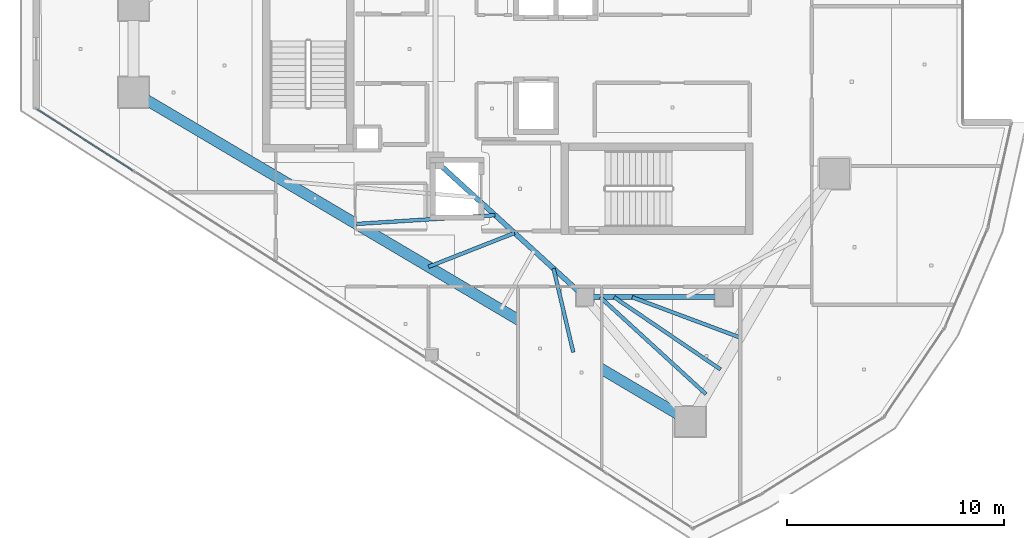
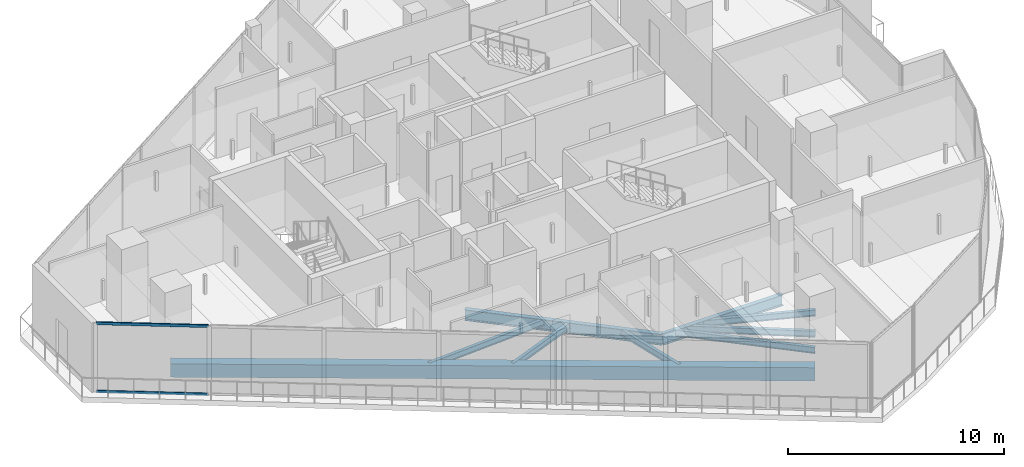
# One storey, part 4 of 25: 9 beams, 2 members, 1 element without a shape of its own.
"""IFC4 building model written with IfcOpenShell, lengths in metres."""

from ifc_helpers import new_model, si_unit, direction, frame, origin, origin_2d, place, context, subcontext, project, spatial, rectangle, hollow_rectangle, i_section, extrude, material, layer, layer_set, material_profile, profile_set, type_object, element, aggregate, save


model = new_model("IFC4")

# Units and contexts
model_context = context("Model", 3, precision=1e-05, world=origin(), true_north=direction((0.0, 1.0)))
body_context = subcontext(model_context, "Body", "Model", "MODEL_VIEW")
ifc_project = project(units=[si_unit("LENGTHUNIT", "METRE"), si_unit("AREAUNIT", "SQUARE_METRE"), si_unit("VOLUMEUNIT", "CUBIC_METRE"), si_unit("PLANEANGLEUNIT", "RADIAN"), si_unit("MASSUNIT", "GRAM", prefix="KILO")], contexts=[model_context])

# Site, building, storey
site_placement = place(None, origin())
site = spatial("IfcSite", under=ifc_project, at=site_placement, CompositionType="ELEMENT")
building_placement = place(site_placement, origin())
building = spatial("IfcBuilding", under=site, at=building_placement, Name="Qorvath Tower", CompositionType="ELEMENT")
storey_placement = place(building_placement, frame((0.0, 0.0, 306.0)))
storey = spatial("IfcBuildingStorey", under=building, at=storey_placement, Name="L71", CompositionType="ELEMENT", Elevation=306.0)

# Beams
ifc_material_1 = material(Name="Steel ASTM A992 Grade 50", Category="steel")
ifc_material_profile_1 = material_profile(ifc_material_1, i_section(OverallWidth=0.22998046875, OverallDepth=0.616943359375, WebThickness=0.01318359375, FlangeThickness=0.022216796875, FilletRadius=0.014892578125, at=origin_2d()), Name="W24x94")
ifc_profile_set_1 = profile_set([ifc_material_profile_1], Name="Steel ASTM A992 Grade 50")
beam_type_1 = type_object("IfcBeamType", Name="BM-FG6", PredefinedType="BEAM", material=ifc_profile_set_1)
beam_1_placement = place(storey_placement, frame((-17.199951171875, -11.449951171875, -0.598388671875), z_axis=(-1.0, 0.0, 0.0), x_axis=(0.0, -1.0, 0.0)))
element("IfcBeam", 1, at=beam_1_placement, inside=storey, type_object=beam_type_1, Name="Core Ring Girder CC3-CC4 L71", PredefinedType="BEAM", context=body_context, shape_type="SweptSolid", body=[
    extrude(i_section(OverallWidth=0.22998046875, OverallDepth=0.616943359375, WebThickness=0.01318359375, FlangeThickness=0.022216796875, FilletRadius=0.014892578125, at=origin_2d()), origin(), (0.0, 0.0, 1.0), 6.400146484375),
])
beam_2_placement = place(storey_placement, frame((-23.60009765625, -11.449951171875, -0.598388671875), z_axis=(-0.73847813985, 0.6742774184, 0.0), x_axis=(-0.6742774184, -0.73847813985, 0.0)))
element("IfcBeam", 2, at=beam_2_placement, inside=storey, type_object=beam_type_1, Name="Core Ring Girder CC4-CC6 L71", PredefinedType="BEAM", context=body_context, shape_type="SweptSolid", body=[
    extrude(i_section(OverallWidth=0.22998046875, OverallDepth=0.616943359375, WebThickness=0.01318359375, FlangeThickness=0.022216796875, FilletRadius=0.014892578125, at=origin_2d()), origin(), (0.0, 0.0, 1.0), 9.343505859375),
])
ifc_material_2 = material(Name="Steel ASTM A992 Grade 50", Category="steel")
ifc_material_profile_2 = material_profile(ifc_material_2, i_section(OverallWidth=0.1708984375, OverallDepth=0.35107421875, WebThickness=0.0068359375, FlangeThickness=0.009765625, FilletRadius=0.010009765625, at=origin_2d()), Name="W14x30")
ifc_profile_set_2 = profile_set([ifc_material_profile_2], Name="Steel ASTM A992 Grade 50")
beam_type_2 = type_object("IfcBeamType", Name="BM-FJ4", PredefinedType="JOIST", material=ifc_profile_set_2)
beam_3_placement = place(storey_placement, frame((-21.424072265625, -11.449951171875, -0.465576171875), z_axis=(0.936775909139, -0.349929844478, 0.0), x_axis=(0.349929844478, 0.936775909139, 0.0)))
element("IfcBeam", 3, at=beam_3_placement, inside=storey, type_object=beam_type_2, Name="Composite Floor Joist SE5 L71", PredefinedType="JOIST", context=body_context, shape_type="SweptSolid", body=[
    extrude(i_section(OverallWidth=0.1708984375, OverallDepth=0.35107421875, WebThickness=0.0068359375, FlangeThickness=0.009765625, FilletRadius=0.010009765625, at=origin_2d()), origin(), (0.0, 0.0, 1.0), 5.268798828125),
])
beam_4_placement = place(storey_placement, frame((-22.256103515625, -11.449951171875, -0.465576171875), z_axis=(0.827400561462, -0.56161224247, 0.0), x_axis=(0.56161224247, 0.827400561462, 0.0)))
element("IfcBeam", 4, at=beam_4_placement, inside=storey, type_object=beam_type_2, Name="Composite Floor Joist SE6 L71", PredefinedType="JOIST", context=body_context, shape_type="SweptSolid", body=[
    extrude(i_section(OverallWidth=0.1708984375, OverallDepth=0.35107421875, WebThickness=0.0068359375, FlangeThickness=0.009765625, FilletRadius=0.010009765625, at=origin_2d()), origin(), (0.0, 0.0, 1.0), 5.925537109375),
])
beam_5_placement = place(storey_placement, frame((-22.89599609375, -11.449951171875, -0.465576171875), z_axis=(0.737232260457, -0.675639396528, 0.0), x_axis=(0.675639396528, 0.737232260457, 0.0)))
element("IfcBeam", 5, at=beam_5_placement, inside=storey, type_object=beam_type_2, Name="Composite Floor Joist SE7 L71", PredefinedType="JOIST", context=body_context, shape_type="SweptSolid", body=[
    extrude(i_section(OverallWidth=0.1708984375, OverallDepth=0.35107421875, WebThickness=0.0068359375, FlangeThickness=0.009765625, FilletRadius=0.010009765625, at=origin_2d()), origin(), (0.0, 0.0, 1.0), 6.615478515625),
])
beam_6_placement = place(storey_placement, frame((-27.739990234375, -7.669921875, -0.465576171875), z_axis=(-0.998006998641, -0.063103333222, 0.0), x_axis=(0.063103333222, -0.998006998641, 0.0)))
element("IfcBeam", 6, at=beam_6_placement, inside=storey, type_object=beam_type_2, Name="Composite Floor Joist SW3 L71", PredefinedType="JOIST", context=body_context, shape_type="SweptSolid", body=[
    extrude(i_section(OverallWidth=0.1708984375, OverallDepth=0.35107421875, WebThickness=0.0068359375, FlangeThickness=0.009765625, FilletRadius=0.010009765625, at=origin_2d()), origin(), (0.0, 0.0, 1.0), 6.41455078125),
])
beam_7_placement = place(storey_placement, frame((-26.843017578125, -8.489013671875, -0.465576171875), z_axis=(-0.930720832638, -0.365730408489, 0.0), x_axis=(0.365730408489, -0.930720832638, 0.0)))
element("IfcBeam", 7, at=beam_7_placement, inside=storey, type_object=beam_type_2, Name="Composite Floor Joist SW4 L71", PredefinedType="JOIST", context=body_context, shape_type="SweptSolid", body=[
    extrude(i_section(OverallWidth=0.1708984375, OverallDepth=0.35107421875, WebThickness=0.0068359375, FlangeThickness=0.009765625, FilletRadius=0.010009765625, at=origin_2d()), origin(), (0.0, 0.0, 1.0), 4.259033203125),
])
beam_8_placement = place(storey_placement, frame((-25.049072265625, -10.126953125, -0.465576171875), z_axis=(0.22966321917, -0.973270160726, 0.0), x_axis=(0.973270160726, 0.22966321917, 0.0)))
element("IfcBeam", 8, at=beam_8_placement, inside=storey, type_object=beam_type_2, Name="Composite Floor Joist SW6 L71", PredefinedType="JOIST", context=body_context, shape_type="SweptSolid", body=[
    extrude(i_section(OverallWidth=0.1708984375, OverallDepth=0.35107421875, WebThickness=0.0068359375, FlangeThickness=0.009765625, FilletRadius=0.010009765625, at=origin_2d()), origin(), (0.0, 0.0, 1.0), 3.969482421875),
])
ifc_material_3 = material(Name="Concrete C45/55", Category="concrete")
ifc_material_profile_3 = material_profile(ifc_material_3, rectangle(XDim=0.5, YDim=0.75, at=origin_2d()), Name="RCB 750x500")
ifc_profile_set_3 = profile_set([ifc_material_profile_3], Name="Concrete C45/55")
beam_type_3 = type_object("IfcBeamType", Name="BM-RCB3", PredefinedType="SPANDREL", material=ifc_profile_set_3)
beam_9_placement = place(storey_placement, frame((-44.402587890625, -2.007568359375, -0.6650390625), z_axis=(0.860780849348, -0.508975765038, 0.0), x_axis=(0.508975765038, 0.860780849348, 0.0)))
element("IfcBeam", 9, at=beam_9_placement, inside=storey, type_object=beam_type_3, Name="Perimeter Loggia Frame Beam MC2-MC3 L71", PredefinedType="SPANDREL", context=body_context, shape_type="SweptSolid", body=[
    extrude(rectangle(XDim=0.5, YDim=0.75, at=origin_2d()), origin(), (0.0, 0.0, 1.0), 29.801025390625),
])

# Curtain wall, members
ifc_material_4 = material(Name="Anodised aluminium and triple low-E glass", Category="aluminium")
ifc_layer = layer(ifc_material_4, 0.179931640625)
ifc_layer_set = layer_set([ifc_layer], Name="CW-SYS-4")
curtain_wall_type = type_object("IfcCurtainWallType", Name="CW-SYS-4", PredefinedType="NOTDEFINED", material=ifc_layer_set)
curtain_wall_placement = place(storey_placement, origin())
curtain_wall = element("IfcCurtainWall", 10, at=curtain_wall_placement, inside=storey, type_object=curtain_wall_type, Name="Curtain Wall CW-4 CW-T-L71-2.1", PredefinedType="NOTDEFINED")
ifc_material_5 = material(Name="Anodised aluminium 6063-T6", Category="aluminium")
ifc_material_profile_4 = material_profile(ifc_material_5, hollow_rectangle(XDim=0.06494140625, YDim=0.159912109375, WallThickness=0.00341796875, InnerFilletRadius=0.00341796875, OuterFilletRadius=0.007080078125, at=origin_2d()), Name="CWT 160x65")
ifc_profile_set_4 = profile_set([ifc_material_profile_4], Name="Anodised aluminium 6063-T6")
member_type = type_object("IfcMemberType", Name="CWT-160", PredefinedType="USERDEFINED", material=ifc_profile_set_4)
member_1_placement = place(storey_placement, frame((-48.836669921875, -2.80419921875, 0.032470703125), z_axis=(0.842594457649, -0.538548586423, 0.0), x_axis=(0.538548586423, 0.842594457649, 0.0)))
member_1 = element("IfcMember", 11, at=member_1_placement, type_object=member_type, Name="CW-4 transom 1.1", ObjectType="TRANSOM", PredefinedType="USERDEFINED", context=body_context, shape_type="SweptSolid", body=[
    extrude(hollow_rectangle(XDim=0.06494140625, YDim=0.159912109375, WallThickness=0.00341796875, InnerFilletRadius=0.00341796875, OuterFilletRadius=0.007080078125, at=origin_2d()), origin(), (0.0, 0.0, 1.0), 5.19921875),
])
member_2_placement = place(storey_placement, frame((-48.836669921875, -2.80419921875, 3.87744140625), z_axis=(0.842594457649, -0.538548586423, 0.0), x_axis=(0.538548586423, 0.842594457649, 0.0)))
member_2 = element("IfcMember", 12, at=member_2_placement, type_object=member_type, Name="CW-4 transom 1.2", ObjectType="TRANSOM", PredefinedType="USERDEFINED", context=body_context, shape_type="SweptSolid", body=[
    extrude(hollow_rectangle(XDim=0.06494140625, YDim=0.159912109375, WallThickness=0.00341796875, InnerFilletRadius=0.00341796875, OuterFilletRadius=0.007080078125, at=origin_2d()), origin(), (0.0, 0.0, 1.0), 5.19921875),
])
aggregate(curtain_wall, [member_1, member_2])

save(model, "model.ifc")
